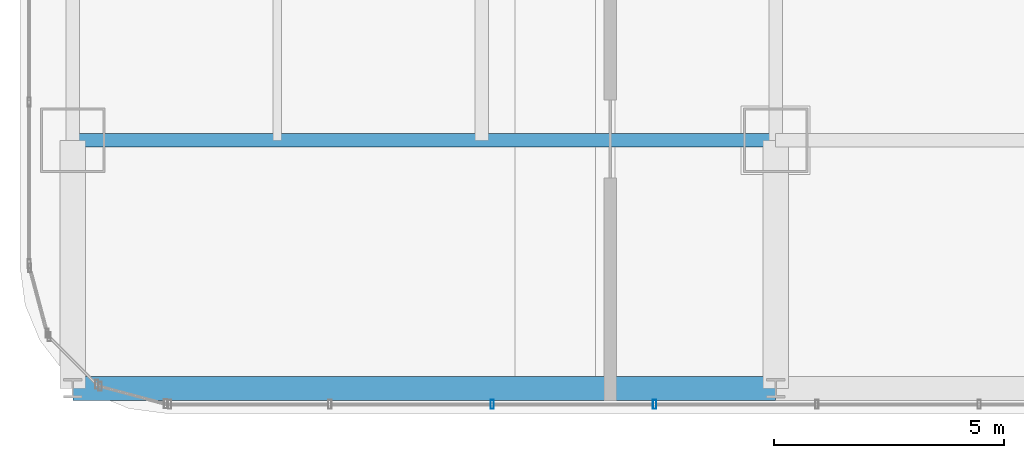
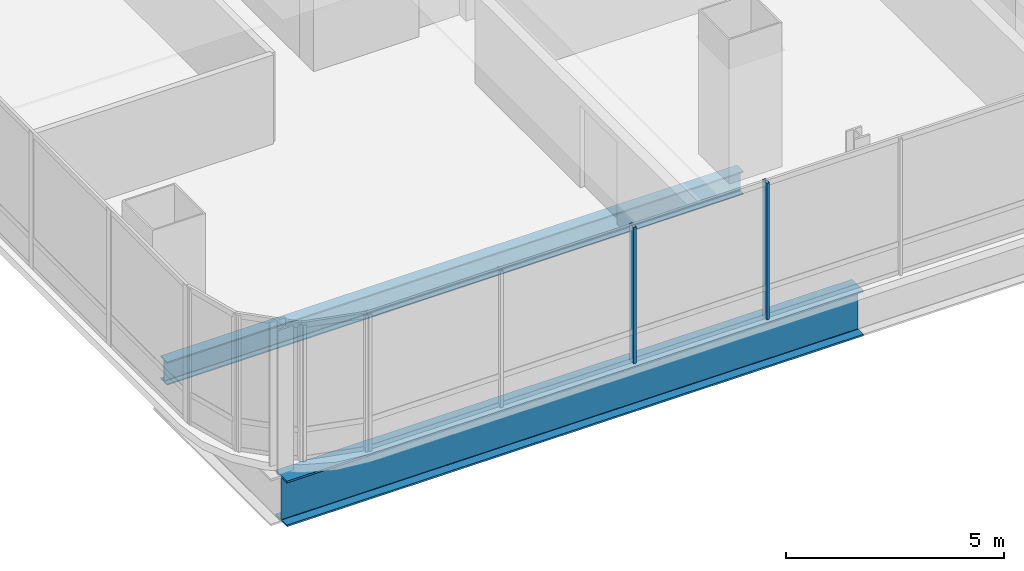
# One storey, part 3 of 35: 2 beams, 2 members, 1 element without a shape of its own.
"""IFC4 building model written with IfcOpenShell, lengths in metres."""

from ifc_helpers import new_model, si_unit, direction, frame, origin, origin_2d, place, context, subcontext, project, spatial, hollow_rectangle, i_section, extrude, material, material_profile, profile_set, type_object, element, aggregate, save


model = new_model("IFC4")

# Units and contexts
model_context = context("Model", 3, precision=1e-05, world=origin(), true_north=direction((0.0, 1.0)))
body_context = subcontext(model_context, "Body", "Model", "MODEL_VIEW")
ifc_project = project(units=[si_unit("LENGTHUNIT", "METRE"), si_unit("AREAUNIT", "SQUARE_METRE"), si_unit("VOLUMEUNIT", "CUBIC_METRE"), si_unit("PLANEANGLEUNIT", "RADIAN"), si_unit("MASSUNIT", "GRAM", prefix="KILO")], contexts=[model_context])

# Site, building, storey
site_placement = place(None, origin())
site = spatial("IfcSite", under=ifc_project, at=site_placement, CompositionType="ELEMENT")
building_placement = place(site_placement, origin())
building = spatial("IfcBuilding", under=site, at=building_placement, Name="Punatoya Terracotta Tower", CompositionType="ELEMENT")
storey_placement = place(building_placement, frame((0.0, 0.0, 216.75)))
storey = spatial("IfcBuildingStorey", under=building, at=storey_placement, Name="L51", CompositionType="ELEMENT", Elevation=216.75)

# Beams
ifc_material_1 = material(Name="Steel S355", Category="steel")
ifc_material_profile_1 = material_profile(ifc_material_1, i_section(OverallWidth=0.300048828125, OverallDepth=0.64990234375, WebThickness=0.01611328125, FlangeThickness=0.031005859375, FilletRadius=0.01806640625, at=origin_2d()))
ifc_profile_set_1 = profile_set([ifc_material_profile_1], Name="Steel S355")
beam_type_1 = type_object("IfcBeamType", Name="BM-PRI-650", PredefinedType="BEAM", material=ifc_profile_set_1)
beam_1_placement = place(storey_placement, frame((-19.10009765625, -17.5, -0.544921875), z_axis=(1.0, 0.0, 0.0), x_axis=(0.0, 1.0, 0.0)))
element("IfcBeam", 1, at=beam_1_placement, inside=storey, type_object=beam_type_1, Name="BM-L51-RG-S1", PredefinedType="BEAM", context=body_context, shape_type="SweptSolid", body=[
    extrude(i_section(OverallWidth=0.300048828125, OverallDepth=0.64990234375, WebThickness=0.01611328125, FlangeThickness=0.031005859375, FilletRadius=0.01806640625, at=origin_2d()), origin(), (0.0, 0.0, 1.0), 15.300048828125),
])
ifc_material_2 = material(Name="Steel S460", Category="steel")
ifc_material_profile_2 = material_profile(ifc_material_2, i_section(OverallWidth=0.52001953125, OverallDepth=1.280029296875, WebThickness=0.031982421875, FlangeThickness=0.050048828125, FilletRadius=0.01806640625, at=origin_2d()))
ifc_profile_set_2 = profile_set([ifc_material_profile_2], Name="Steel S460")
beam_type_2 = type_object("IfcBeamType", Name="BM-TG-NCK", PredefinedType="BEAM", material=ifc_profile_set_2)
beam_2_placement = place(storey_placement, frame((-19.10009765625, -22.89990234375, -0.860107421875), z_axis=(1.0, 0.0, 0.0), x_axis=(0.0, 1.0, 0.0)))
element("IfcBeam", 2, at=beam_2_placement, inside=storey, type_object=beam_type_2, Name="BM-L51-PER-S1", PredefinedType="BEAM", context=body_context, shape_type="SweptSolid", body=[
    extrude(i_section(OverallWidth=0.52001953125, OverallDepth=1.280029296875, WebThickness=0.031982421875, FlangeThickness=0.050048828125, FilletRadius=0.01806640625, at=origin_2d()), origin(), (0.0, 0.0, 1.0), 15.300048828125),
])

# Curtain wall, members
ifc_material_3 = material(Name="Aluminium 6063-T6 + Double Low-E Glass", Category="aluminium")
curtain_wall_type = type_object("IfcCurtainWallType", Name="CW-M2", PredefinedType="NOTDEFINED", material=ifc_material_3)
curtain_wall_placement = place(storey_placement, origin())
curtain_wall = element("IfcCurtainWall", 3, at=curtain_wall_placement, inside=storey, type_object=curtain_wall_type, Name="L51 Curtain Wall CW-L51-S01-1", PredefinedType="NOTDEFINED")
ifc_material_4 = material(Name="Aluminium 6063-T6", Category="aluminium")
ifc_material_profile_3 = material_profile(ifc_material_4, hollow_rectangle(XDim=0.072021484375, YDim=0.195068359375, WallThickness=0.00439453125, at=origin_2d()))
ifc_profile_set_3 = profile_set([ifc_material_profile_3], Name="Aluminium 6063-T6")
member_type = type_object("IfcMemberType", Name="CW-MUL-M2", PredefinedType="MULLION", material=ifc_profile_set_3)
member_1_placement = place(storey_placement, frame((-9.968994140625, -23.25, 0.0), z_axis=(0.0, 0.0, 1.0), x_axis=(1.0, 0.0, 0.0)))
member_1 = element("IfcMember", 4, at=member_1_placement, type_object=member_type, Name="CW-L51-S01-1 Mullion 02", PredefinedType="MULLION", context=body_context, shape_type="SweptSolid", body=[
    extrude(hollow_rectangle(XDim=0.072021484375, YDim=0.195068359375, WallThickness=0.00439453125, at=origin_2d()), origin(), (0.0, 0.0, 1.0), 3.830078125),
])
member_2_placement = place(storey_placement, frame((-6.43505859375, -23.25, 0.0), z_axis=(0.0, 0.0, 1.0), x_axis=(1.0, 0.0, 0.0)))
member_2 = element("IfcMember", 5, at=member_2_placement, type_object=member_type, Name="CW-L51-S01-1 Mullion 03", PredefinedType="MULLION", context=body_context, shape_type="SweptSolid", body=[
    extrude(hollow_rectangle(XDim=0.072021484375, YDim=0.195068359375, WallThickness=0.00439453125, at=origin_2d()), origin(), (0.0, 0.0, 1.0), 3.830078125),
])
aggregate(curtain_wall, [member_1, member_2])

save(model, "model.ifc")
